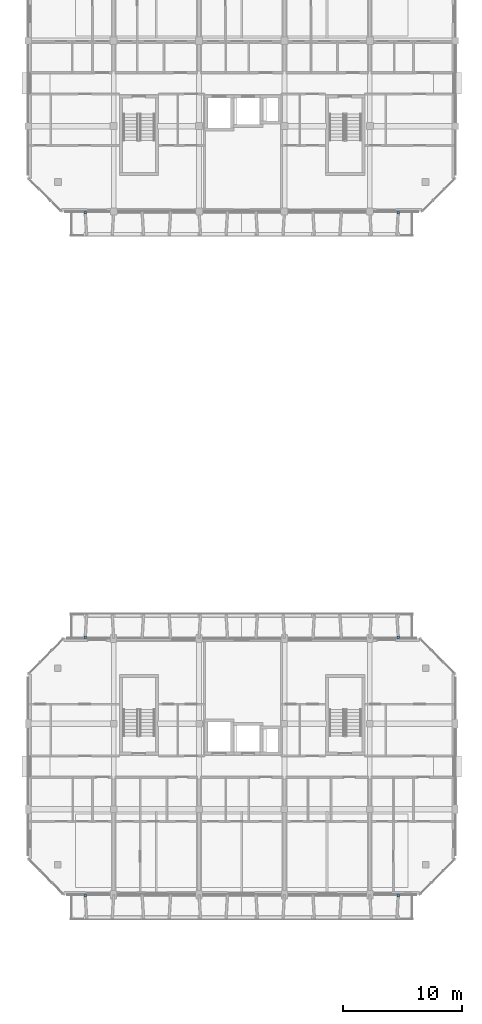
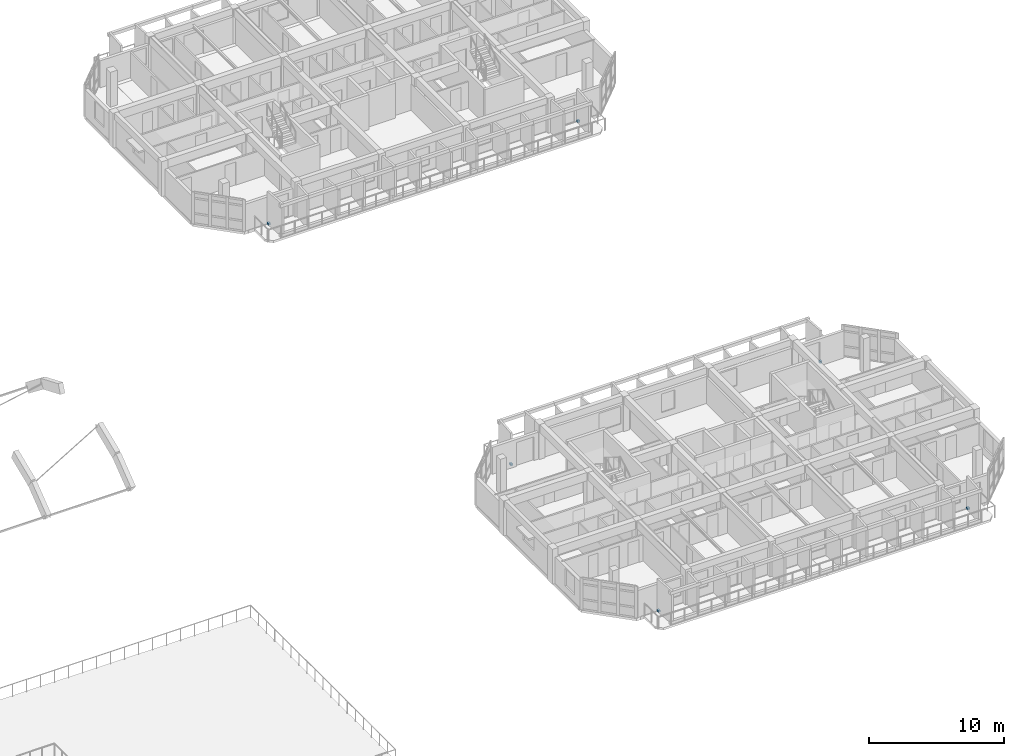
# One storey, part 50 of 64: 6 discrete accessories.
"""IFC4 building model written with IfcOpenShell, lengths in metres."""

from ifc_helpers import new_model, si_unit, direction, frame, origin, origin_2d, place, context, subcontext, project, spatial, rectangle, extrude, material, type_object, element, save


model = new_model("IFC4")

# Units and contexts
model_context = context("Model", 3, precision=1e-05, world=origin(), true_north=direction((0.0, 1.0)))
body_context = subcontext(model_context, "Body", "Model", "MODEL_VIEW")
ifc_project = project(units=[si_unit("LENGTHUNIT", "METRE"), si_unit("AREAUNIT", "SQUARE_METRE"), si_unit("VOLUMEUNIT", "CUBIC_METRE"), si_unit("PLANEANGLEUNIT", "RADIAN"), si_unit("MASSUNIT", "GRAM", prefix="KILO")], contexts=[model_context])

# Site, building, storey
site_placement = place(None, origin())
site = spatial("IfcSite", under=ifc_project, at=site_placement, CompositionType="ELEMENT")
building_placement = place(site_placement, origin())
building = spatial("IfcBuilding", under=site, at=building_placement, Name="Ochrevale Crest", CompositionType="ELEMENT")
storey_placement = place(building_placement, frame((0.0, 0.0, 8.699951171875)))
storey = spatial("IfcBuildingStorey", under=building, at=storey_placement, Name="L02", CompositionType="ELEMENT", Elevation=8.699951171875)

# Discrete accessories
ifc_material = material(Name="Galvanised steel", Category="steel")
discrete_accessory_type = type_object("IfcDiscreteAccessoryType", Name="ACC-BRK-HC", PredefinedType="BRACKET", material=ifc_material)
for number, where, z_axis, x_axis, name in (
    (1, (134.39990234375, 14.300048828125, 0.0), (0.0, 0.0, 1.0), (1.0, 0.0, 0.0), "Block C L02 precast loggia corbel bracket"),
    (2, (160.800048828125, 14.300048828125, 0.0), (0.0, 0.0, 1.0), (1.0, 0.0, 0.0), "Block C L02 precast loggia corbel bracket"),
    (3, (134.39990234375, 36.10009765625, 0.0), (0.0, 0.0, 1.0), (1.0, 0.0, 0.0), "Block C L02 precast loggia corbel bracket"),
    (4, (160.800048828125, 36.10009765625, 0.0), (0.0, 0.0, 1.0), (1.0, 0.0, 0.0), "Block C L02 precast loggia corbel bracket"),
    (5, (134.39990234375, 71.89990234375, 0.0), (0.0, 0.0, 1.0), (1.0, 0.0, 0.0), "Block D L02 precast loggia corbel bracket"),
    (6, (160.800048828125, 71.89990234375, 0.0), (0.0, 0.0, 1.0), (1.0, 0.0, 0.0), "Block D L02 precast loggia corbel bracket"),
):
    element("IfcDiscreteAccessory", number, at=place(storey_placement, frame(where, z_axis=z_axis, x_axis=x_axis)), inside=storey, type_object=discrete_accessory_type, Name=name, PredefinedType="BRACKET", context=body_context, shape_type="SweptSolid", body=[
        extrude(rectangle(XDim=0.179931640625, YDim=0.219970703125, at=origin_2d()), origin(), (0.0, 0.0, 1.0), 0.179931640625),
    ])

save(model, "model.ifc")
